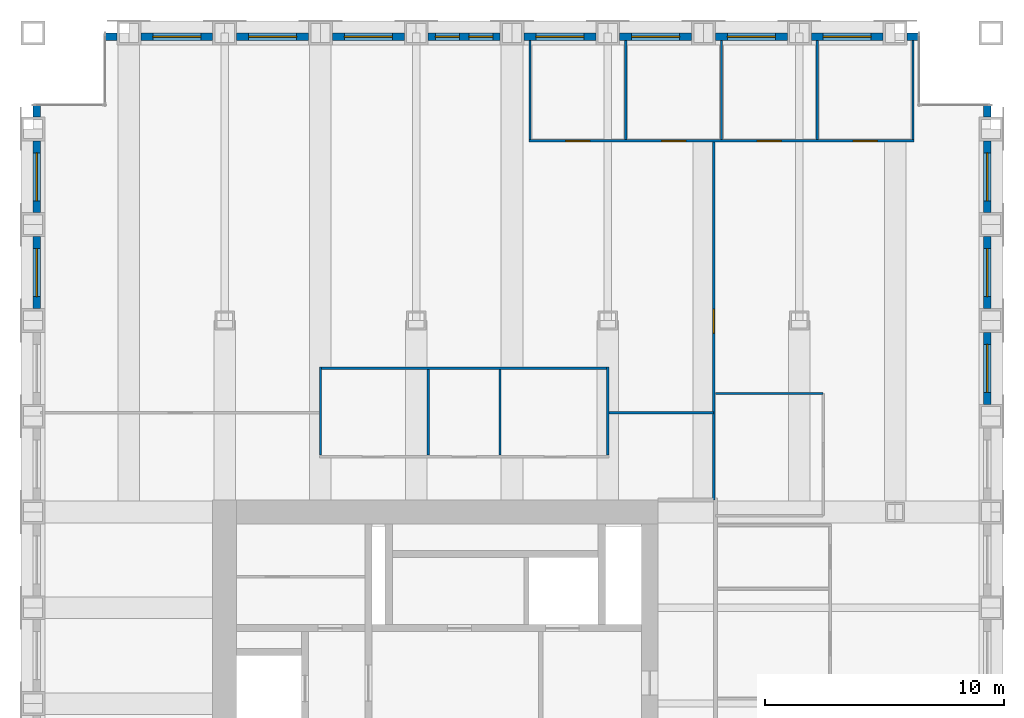
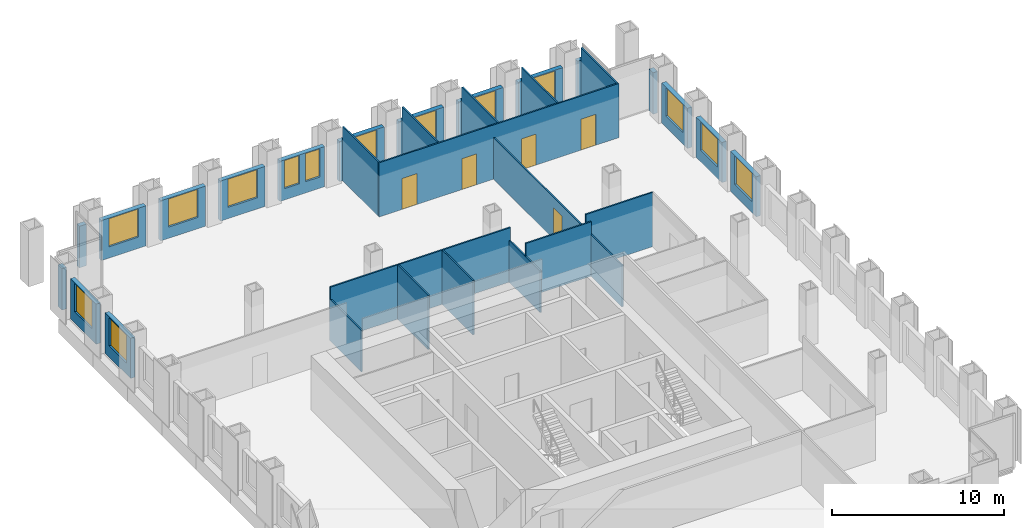
# One storey, part 11 of 13: 31 walls, 14 windows, 5 doors, 19 openings.
"""IFC4 building model written with IfcOpenShell, lengths in metres."""

from ifc_helpers import new_model, si_unit, direction, frame, frame_2d, origin, place, context, subcontext, project, spatial, rectangle, extrude, material, layer, layer_set, type_object, element, fill, save


model = new_model("IFC4")

# Units and contexts
model_context = context("Model", 3, precision=1e-05, world=origin(), true_north=direction((0.0, 1.0)))
body_context = subcontext(model_context, "Body", "Model", "MODEL_VIEW")
ifc_project = project(units=[si_unit("LENGTHUNIT", "METRE"), si_unit("AREAUNIT", "SQUARE_METRE"), si_unit("VOLUMEUNIT", "CUBIC_METRE"), si_unit("PLANEANGLEUNIT", "RADIAN"), si_unit("MASSUNIT", "GRAM", prefix="KILO")], contexts=[model_context])

# Site, building, storey
site_placement = place(None, origin())
site = spatial("IfcSite", under=ifc_project, at=site_placement, CompositionType="ELEMENT")
building_placement = place(site_placement, origin())
building = spatial("IfcBuilding", under=site, at=building_placement, Name="Rimbunsela Tower", CompositionType="ELEMENT")
storey_placement = place(building_placement, frame((0.0, 0.0, 222.199951171875)))
storey = spatial("IfcBuildingStorey", under=building, at=storey_placement, Name="L53", CompositionType="ELEMENT", Elevation=222.199951171875)

# Wall, openings, doors
ifc_material_1 = material(Name="Gypsum board on steel studs", Category="steel")
ifc_layer_1 = layer(ifc_material_1, 0.10009765625)
ifc_layer_set_1 = layer_set([ifc_layer_1], Name="Office partition 100")
wall_type_1 = type_object("IfcWallType", Name="Office partition 100", PredefinedType="PARTITIONING", material=ifc_layer_set_1)
wall_1_placement = place(storey_placement, frame((30.699951171875, 51.5, 0.0), z_axis=(0.0, 0.0, 1.0), x_axis=(1.0, 0.0, 0.0)))
wall_1 = element("IfcWall", 1, at=wall_1_placement, inside=storey, type_object=wall_type_1, Name="Office partition", PredefinedType="PARTITIONING", context=body_context, shape_type="SweptSolid", body=[
    extrude(rectangle(XDim=16.10009765625, YDim=0.10009765625, at=frame_2d((8.050048828125, 0.0))), origin(), (0.0, 0.0, 1.0), 3.85009765625),
])
opening_1_placement = place(wall_1_placement, frame((1.550048828125, 0.0, 0.0)))
opening_1 = element("IfcOpeningElement", 2, at=opening_1_placement, cuts=wall_1, Name="Opening D16", PredefinedType="OPENING", context=body_context, shape_type="SweptSolid", body=[
    extrude(rectangle(XDim=1.0, YDim=2.199951171875, at=frame_2d((0.5, 1.10009765625))), frame((0.0, 0.06005859375, 0.0), z_axis=(0.0, -1.0, 0.0), x_axis=(1.0, 0.0, 0.0)), (0.0, 0.0, 1.0), 0.1201171875),
])
opening_2_placement = place(wall_1_placement, frame((5.550048828125, 0.0, 0.0)))
opening_2 = element("IfcOpeningElement", 3, at=opening_2_placement, cuts=wall_1, Name="Opening D16", PredefinedType="OPENING", context=body_context, shape_type="SweptSolid", body=[
    extrude(rectangle(XDim=1.0, YDim=2.199951171875, at=frame_2d((0.5, 1.10009765625))), frame((0.0, 0.06005859375, 0.0), z_axis=(0.0, -1.0, 0.0), x_axis=(1.0, 0.0, 0.0)), (0.0, 0.0, 1.0), 0.1201171875),
])
opening_3_placement = place(wall_1_placement, frame((9.550048828125, 0.0, 0.0)))
opening_3 = element("IfcOpeningElement", 4, at=opening_3_placement, cuts=wall_1, Name="Opening D16", PredefinedType="OPENING", context=body_context, shape_type="SweptSolid", body=[
    extrude(rectangle(XDim=1.0, YDim=2.199951171875, at=frame_2d((0.5, 1.10009765625))), frame((0.0, 0.06005859375, 0.0), z_axis=(0.0, -1.0, 0.0), x_axis=(1.0, 0.0, 0.0)), (0.0, 0.0, 1.0), 0.1201171875),
])
opening_4_placement = place(wall_1_placement, frame((13.550048828125, 0.0, 0.0)))
opening_4 = element("IfcOpeningElement", 5, at=opening_4_placement, cuts=wall_1, Name="Opening D16", PredefinedType="OPENING", context=body_context, shape_type="SweptSolid", body=[
    extrude(rectangle(XDim=1.0, YDim=2.199951171875, at=frame_2d((0.5, 1.10009765625))), frame((0.0, 0.06005859375, 0.0), z_axis=(0.0, -1.0, 0.0), x_axis=(1.0, 0.0, 0.0)), (0.0, 0.0, 1.0), 0.1201171875),
])
ifc_material_2 = material(Name="Timber door", Category="wood")
door_type_1 = type_object("IfcDoorType", Name="Office door 1000", OperationType="SINGLE_SWING_LEFT", PredefinedType="DOOR", material=ifc_material_2)
door_1_placement = place(opening_1_placement, origin())
door_1 = element("IfcDoor", 6, at=door_1_placement, inside=storey, type_object=door_type_1, Name="Office door", OperationType="SINGLE_SWING_LEFT", OverallHeight=2.199951171875, OverallWidth=1.0, PredefinedType="DOOR", context=body_context, shape_type="SweptSolid", body=[
    extrude(rectangle(XDim=1.0, YDim=2.199951171875, at=frame_2d((0.5, 1.10009765625))), frame((0.0, 0.02490234375, 0.0), z_axis=(0.0, -1.0, 0.0), x_axis=(1.0, 0.0, 0.0)), (0.0, 0.0, 1.0), 0.050048828125),
])
fill(opening_1, door_1)
door_2_placement = place(opening_2_placement, origin())
door_2 = element("IfcDoor", 7, at=door_2_placement, inside=storey, type_object=door_type_1, Name="Office door", OperationType="SINGLE_SWING_LEFT", OverallHeight=2.199951171875, OverallWidth=1.0, PredefinedType="DOOR", context=body_context, shape_type="SweptSolid", body=[
    extrude(rectangle(XDim=1.0, YDim=2.199951171875, at=frame_2d((0.5, 1.10009765625))), frame((0.0, 0.02490234375, 0.0), z_axis=(0.0, -1.0, 0.0), x_axis=(1.0, 0.0, 0.0)), (0.0, 0.0, 1.0), 0.050048828125),
])
fill(opening_2, door_2)
door_3_placement = place(opening_3_placement, origin())
door_3 = element("IfcDoor", 8, at=door_3_placement, inside=storey, type_object=door_type_1, Name="Office door", OperationType="SINGLE_SWING_LEFT", OverallHeight=2.199951171875, OverallWidth=1.0, PredefinedType="DOOR", context=body_context, shape_type="SweptSolid", body=[
    extrude(rectangle(XDim=1.0, YDim=2.199951171875, at=frame_2d((0.5, 1.10009765625))), frame((0.0, 0.02490234375, 0.0), z_axis=(0.0, -1.0, 0.0), x_axis=(1.0, 0.0, 0.0)), (0.0, 0.0, 1.0), 0.050048828125),
])
fill(opening_3, door_3)
door_4_placement = place(opening_4_placement, origin())
door_4 = element("IfcDoor", 9, at=door_4_placement, inside=storey, type_object=door_type_1, Name="Office door", OperationType="SINGLE_SWING_LEFT", OverallHeight=2.199951171875, OverallWidth=1.0, PredefinedType="DOOR", context=body_context, shape_type="SweptSolid", body=[
    extrude(rectangle(XDim=1.0, YDim=2.199951171875, at=frame_2d((0.5, 1.10009765625))), frame((0.0, 0.02490234375, 0.0), z_axis=(0.0, -1.0, 0.0), x_axis=(1.0, 0.0, 0.0)), (0.0, 0.0, 1.0), 0.050048828125),
])
fill(opening_4, door_4)

# Walls
for number, where, z_axis, x_axis, name in (
    (10, (30.75, 51.550048828125, 0.0), (0.0, 0.0, 1.0), (0.0, 1.0, 0.0), "Office partition"),
    (11, (34.75, 51.550048828125, 0.0), (0.0, 0.0, 1.0), (0.0, 1.0, 0.0), "Office partition"),
    (12, (38.75, 51.550048828125, 0.0), (0.0, 0.0, 1.0), (0.0, 1.0, 0.0), "Office partition"),
    (13, (42.75, 51.550048828125, 0.0), (0.0, 0.0, 1.0), (0.0, 1.0, 0.0), "Office partition"),
    (14, (46.75, 51.550048828125, 0.0), (0.0, 0.0, 1.0), (0.0, 1.0, 0.0), "Office partition"),
):
    element("IfcWall", number, at=place(storey_placement, frame(where, z_axis=z_axis, x_axis=x_axis)), inside=storey, type_object=wall_type_1, Name=name, PredefinedType="PARTITIONING", context=body_context, shape_type="SweptSolid", body=[
        extrude(rectangle(XDim=4.14990234375, YDim=0.10009765625, at=frame_2d((2.074951171875, 0.0))), origin(), (0.0, 0.0, 1.0), 3.85009765625),
    ])

# Wall, opening, door
wall_2_placement = place(storey_placement, frame((38.425048828125, 51.449951171875, 0.0), z_axis=(0.0, 0.0, 1.0), x_axis=(0.0, -1.0, 0.0)))
wall_2 = element("IfcWall", 15, at=wall_2_placement, inside=storey, type_object=wall_type_1, Name="Office partition", PredefinedType="PARTITIONING", context=body_context, shape_type="SweptSolid", body=[
    extrude(rectangle(XDim=14.949951171875, YDim=0.10009765625, at=frame_2d((7.47509765625, 0.0))), origin(), (0.0, 0.0, 1.0), 2.949951171875),
])
opening_5_placement = place(wall_2_placement, frame((6.97509765625, 0.0, 0.0)))
opening_5 = element("IfcOpeningElement", 16, at=opening_5_placement, cuts=wall_2, Name="Opening D17", PredefinedType="OPENING", context=body_context, shape_type="SweptSolid", body=[
    extrude(rectangle(XDim=1.0, YDim=2.199951171875, at=frame_2d((0.5, 1.10009765625))), frame((0.0, 0.06005859375, 0.0), z_axis=(0.0, -1.0, 0.0), x_axis=(1.0, 0.0, 0.0)), (0.0, 0.0, 1.0), 0.1201171875),
])
ifc_material_3 = material(Name="Glazed aluminium door", Category="aluminium")
door_type_2 = type_object("IfcDoorType", Name="Meeting room door 1000 glazed", OperationType="SINGLE_SWING_RIGHT", PredefinedType="DOOR", material=ifc_material_3)
door_5_placement = place(opening_5_placement, origin())
door_5 = element("IfcDoor", 17, at=door_5_placement, inside=storey, type_object=door_type_2, Name="Open office screen door", OperationType="SINGLE_SWING_RIGHT", OverallHeight=2.199951171875, OverallWidth=1.0, PredefinedType="DOOR", context=body_context, shape_type="SweptSolid", body=[
    extrude(rectangle(XDim=1.0, YDim=2.199951171875, at=frame_2d((0.5, 1.10009765625))), frame((0.0, 0.02490234375, 0.0), z_axis=(0.0, -1.0, 0.0), x_axis=(1.0, 0.0, 0.0)), (0.0, 0.0, 1.0), 0.050048828125),
])
fill(opening_5, door_5)

# Walls
wall_3_placement = place(storey_placement, frame((34.0, 40.14990234375, 0.0), z_axis=(0.0, 0.0, 1.0), x_axis=(1.0, 0.0, 0.0)))
element("IfcWall", 18, at=wall_3_placement, inside=storey, type_object=wall_type_1, Name="Office partition", PredefinedType="PARTITIONING", context=body_context, shape_type="SweptSolid", body=[
    extrude(rectangle(XDim=4.425048828125, YDim=0.10009765625, at=frame_2d((2.21240234375, 0.0))), origin(), (0.0, 0.0, 1.0), 3.85009765625),
])
wall_4_placement = place(storey_placement, frame((43.0, 40.949951171875, 0.0), z_axis=(0.0, 0.0, 1.0), x_axis=(-1.0, 0.0, 0.0)))
element("IfcWall", 19, at=wall_4_placement, inside=storey, type_object=wall_type_1, Name="Office partition", PredefinedType="PARTITIONING", context=body_context, shape_type="SweptSolid", body=[
    extrude(rectangle(XDim=4.5, YDim=0.10009765625, at=frame_2d((2.25, 0.0))), origin(), (0.0, 0.0, 1.0), 3.85009765625),
])

# Wall, opening, window
ifc_material_4 = material(Name="Precast concrete fc' 35 MPa", Category="concrete")
ifc_layer_2 = layer(ifc_material_4, 0.300048828125)
ifc_layer_set_2 = layer_set([ifc_layer_2], Name="Precast concrete fc' 35 MPa")
wall_type_2 = type_object("IfcWallType", Name="Precast facade panel 300", PredefinedType="ELEMENTEDWALL", material=ifc_layer_set_2)
wall_5_placement = place(storey_placement, frame((49.85009765625, 40.5, 0.0), z_axis=(0.0, 0.0, 1.0), x_axis=(0.0, 1.0, 0.0)))
wall_5 = element("IfcWall", 20, at=wall_5_placement, inside=storey, type_object=wall_type_2, Name="Facade panel E L53", PredefinedType="ELEMENTEDWALL", context=body_context, shape_type="SweptSolid", body=[
    extrude(rectangle(XDim=3.0, YDim=0.300048828125, at=frame_2d((1.5, 0.0))), origin(), (0.0, 0.0, 1.0), 2.85009765625),
])
opening_6_placement = place(wall_5_placement, frame((0.5, 0.0, 0.800048828125)))
opening_6 = element("IfcOpeningElement", 21, at=opening_6_placement, cuts=wall_5, Name="Opening W1", PredefinedType="OPENING", context=body_context, shape_type="SweptSolid", body=[
    extrude(rectangle(XDim=2.0, YDim=2.0, at=frame_2d((1.0, 1.0))), frame((0.0, 0.159912109375, 0.0), z_axis=(0.0, -1.0, 0.0), x_axis=(1.0, 0.0, 0.0)), (0.0, 0.0, 1.0), 0.320068359375),
])
ifc_material_5 = material(Name="Clear glass in aluminium frame", Category="aluminium")
window_type_1 = type_object("IfcWindowType", Name="Window W1 2000x2000", PartitioningType="DOUBLE_PANEL_VERTICAL", PredefinedType="WINDOW", material=ifc_material_5)
window_1_placement = place(opening_6_placement, origin())
window_1 = element("IfcWindow", 22, at=window_1_placement, inside=storey, type_object=window_type_1, Name="Window L53", OverallHeight=2.0, OverallWidth=2.0, PartitioningType="SINGLE_PANEL", PredefinedType="WINDOW", context=body_context, shape_type="SweptSolid", body=[
    extrude(rectangle(XDim=2.0, YDim=2.0, at=frame_2d((1.0, 1.0))), frame((0.0, 0.030029296875, 0.0), z_axis=(0.0, -1.0, 0.0), x_axis=(1.0, 0.0, 0.0)), (0.0, 0.0, 1.0), 0.06005859375),
])
fill(opening_6, window_1)

wall_6_placement = place(storey_placement, frame((49.85009765625, 44.5, 0.0), z_axis=(0.0, 0.0, 1.0), x_axis=(0.0, 1.0, 0.0)))
wall_6 = element("IfcWall", 23, at=wall_6_placement, inside=storey, type_object=wall_type_2, Name="Facade panel E L53", PredefinedType="ELEMENTEDWALL", context=body_context, shape_type="SweptSolid", body=[
    extrude(rectangle(XDim=3.0, YDim=0.300048828125, at=frame_2d((1.5, 0.0))), origin(), (0.0, 0.0, 1.0), 2.85009765625),
])
opening_7_placement = place(wall_6_placement, frame((0.5, 0.0, 0.800048828125)))
opening_7 = element("IfcOpeningElement", 24, at=opening_7_placement, cuts=wall_6, Name="Opening W1", PredefinedType="OPENING", context=body_context, shape_type="SweptSolid", body=[
    extrude(rectangle(XDim=2.0, YDim=2.0, at=frame_2d((1.0, 1.0))), frame((0.0, 0.159912109375, 0.0), z_axis=(0.0, -1.0, 0.0), x_axis=(1.0, 0.0, 0.0)), (0.0, 0.0, 1.0), 0.320068359375),
])
window_2_placement = place(opening_7_placement, origin())
window_2 = element("IfcWindow", 25, at=window_2_placement, inside=storey, type_object=window_type_1, Name="Window L53", OverallHeight=2.0, OverallWidth=2.0, PartitioningType="SINGLE_PANEL", PredefinedType="WINDOW", context=body_context, shape_type="SweptSolid", body=[
    extrude(rectangle(XDim=2.0, YDim=2.0, at=frame_2d((1.0, 1.0))), frame((0.0, 0.030029296875, 0.0), z_axis=(0.0, -1.0, 0.0), x_axis=(1.0, 0.0, 0.0)), (0.0, 0.0, 1.0), 0.06005859375),
])
fill(opening_7, window_2)

wall_7_placement = place(storey_placement, frame((49.85009765625, 48.5, 0.0), z_axis=(0.0, 0.0, 1.0), x_axis=(0.0, 1.0, 0.0)))
wall_7 = element("IfcWall", 26, at=wall_7_placement, inside=storey, type_object=wall_type_2, Name="Facade panel E L53", PredefinedType="ELEMENTEDWALL", context=body_context, shape_type="SweptSolid", body=[
    extrude(rectangle(XDim=3.0, YDim=0.300048828125, at=frame_2d((1.5, 0.0))), origin(), (0.0, 0.0, 1.0), 2.85009765625),
])
opening_8_placement = place(wall_7_placement, frame((0.5, 0.0, 0.800048828125)))
opening_8 = element("IfcOpeningElement", 27, at=opening_8_placement, cuts=wall_7, Name="Opening W1", PredefinedType="OPENING", context=body_context, shape_type="SweptSolid", body=[
    extrude(rectangle(XDim=2.0, YDim=2.0, at=frame_2d((1.0, 1.0))), frame((0.0, 0.159912109375, 0.0), z_axis=(0.0, -1.0, 0.0), x_axis=(1.0, 0.0, 0.0)), (0.0, 0.0, 1.0), 0.320068359375),
])
window_3_placement = place(opening_8_placement, origin())
window_3 = element("IfcWindow", 28, at=window_3_placement, inside=storey, type_object=window_type_1, Name="Window L53", OverallHeight=2.0, OverallWidth=2.0, PartitioningType="SINGLE_PANEL", PredefinedType="WINDOW", context=body_context, shape_type="SweptSolid", body=[
    extrude(rectangle(XDim=2.0, YDim=2.0, at=frame_2d((1.0, 1.0))), frame((0.0, 0.030029296875, 0.0), z_axis=(0.0, -1.0, 0.0), x_axis=(1.0, 0.0, 0.0)), (0.0, 0.0, 1.0), 0.06005859375),
])
fill(opening_8, window_3)

# Walls
for number, where, z_axis, x_axis, name in (
    (29, (49.85009765625, 52.5, 0.0), (0.0, 0.0, 1.0), (0.0, 1.0, 0.0), "Facade panel E L53"),
    (30, (13.5, 55.85009765625, 0.0), (0.0, 0.0, 1.0), (-1.0, 0.0, 0.0), "Facade panel N L53"),
):
    element("IfcWall", number, at=place(storey_placement, frame(where, z_axis=z_axis, x_axis=x_axis)), inside=storey, type_object=wall_type_2, Name=name, PredefinedType="ELEMENTEDWALL", context=body_context, shape_type="SweptSolid", body=[
        extrude(rectangle(XDim=0.469970703125, YDim=0.300048828125, at=frame_2d((0.23486328125, 0.0))), origin(), (0.0, 0.0, 1.0), 2.949951171875),
    ])

# Wall, opening, window
wall_8_placement = place(storey_placement, frame((17.5, 55.85009765625, 0.0), z_axis=(0.0, 0.0, 1.0), x_axis=(-1.0, 0.0, 0.0)))
wall_8 = element("IfcWall", 31, at=wall_8_placement, inside=storey, type_object=wall_type_2, Name="Facade panel N L53", PredefinedType="ELEMENTEDWALL", context=body_context, shape_type="SweptSolid", body=[
    extrude(rectangle(XDim=3.0, YDim=0.300048828125, at=frame_2d((1.5, 0.0))), origin(), (0.0, 0.0, 1.0), 2.85009765625),
])
opening_9_placement = place(wall_8_placement, frame((0.5, 0.0, 0.800048828125)))
opening_9 = element("IfcOpeningElement", 32, at=opening_9_placement, cuts=wall_8, Name="Opening W1", PredefinedType="OPENING", context=body_context, shape_type="SweptSolid", body=[
    extrude(rectangle(XDim=2.0, YDim=2.0, at=frame_2d((1.0, 1.0))), frame((0.0, 0.159912109375, 0.0), z_axis=(0.0, -1.0, 0.0), x_axis=(1.0, 0.0, 0.0)), (0.0, 0.0, 1.0), 0.320068359375),
])
window_4_placement = place(opening_9_placement, origin())
window_4 = element("IfcWindow", 33, at=window_4_placement, inside=storey, type_object=window_type_1, Name="Window L53", OverallHeight=2.0, OverallWidth=2.0, PartitioningType="SINGLE_PANEL", PredefinedType="WINDOW", context=body_context, shape_type="SweptSolid", body=[
    extrude(rectangle(XDim=2.0, YDim=2.0, at=frame_2d((1.0, 1.0))), frame((0.0, 0.030029296875, 0.0), z_axis=(0.0, -1.0, 0.0), x_axis=(1.0, 0.0, 0.0)), (0.0, 0.0, 1.0), 0.06005859375),
])
fill(opening_9, window_4)

wall_9_placement = place(storey_placement, frame((21.5, 55.85009765625, 0.0), z_axis=(0.0, 0.0, 1.0), x_axis=(-1.0, 0.0, 0.0)))
wall_9 = element("IfcWall", 34, at=wall_9_placement, inside=storey, type_object=wall_type_2, Name="Facade panel N L53", PredefinedType="ELEMENTEDWALL", context=body_context, shape_type="SweptSolid", body=[
    extrude(rectangle(XDim=3.0, YDim=0.300048828125, at=frame_2d((1.5, 0.0))), origin(), (0.0, 0.0, 1.0), 2.85009765625),
])
opening_10_placement = place(wall_9_placement, frame((0.5, 0.0, 0.800048828125)))
opening_10 = element("IfcOpeningElement", 35, at=opening_10_placement, cuts=wall_9, Name="Opening W1", PredefinedType="OPENING", context=body_context, shape_type="SweptSolid", body=[
    extrude(rectangle(XDim=2.0, YDim=2.0, at=frame_2d((1.0, 1.0))), frame((0.0, 0.159912109375, 0.0), z_axis=(0.0, -1.0, 0.0), x_axis=(1.0, 0.0, 0.0)), (0.0, 0.0, 1.0), 0.320068359375),
])
window_5_placement = place(opening_10_placement, origin())
window_5 = element("IfcWindow", 36, at=window_5_placement, inside=storey, type_object=window_type_1, Name="Window L53", OverallHeight=2.0, OverallWidth=2.0, PartitioningType="SINGLE_PANEL", PredefinedType="WINDOW", context=body_context, shape_type="SweptSolid", body=[
    extrude(rectangle(XDim=2.0, YDim=2.0, at=frame_2d((1.0, 1.0))), frame((0.0, 0.030029296875, 0.0), z_axis=(0.0, -1.0, 0.0), x_axis=(1.0, 0.0, 0.0)), (0.0, 0.0, 1.0), 0.06005859375),
])
fill(opening_10, window_5)

wall_10_placement = place(storey_placement, frame((25.5, 55.85009765625, 0.0), z_axis=(0.0, 0.0, 1.0), x_axis=(-1.0, 0.0, 0.0)))
wall_10 = element("IfcWall", 37, at=wall_10_placement, inside=storey, type_object=wall_type_2, Name="Facade panel N L53", PredefinedType="ELEMENTEDWALL", context=body_context, shape_type="SweptSolid", body=[
    extrude(rectangle(XDim=3.0, YDim=0.300048828125, at=frame_2d((1.5, 0.0))), origin(), (0.0, 0.0, 1.0), 2.85009765625),
])
opening_11_placement = place(wall_10_placement, frame((0.5, 0.0, 0.800048828125)))
opening_11 = element("IfcOpeningElement", 38, at=opening_11_placement, cuts=wall_10, Name="Opening W1", PredefinedType="OPENING", context=body_context, shape_type="SweptSolid", body=[
    extrude(rectangle(XDim=2.0, YDim=2.0, at=frame_2d((1.0, 1.0))), frame((0.0, 0.159912109375, 0.0), z_axis=(0.0, -1.0, 0.0), x_axis=(1.0, 0.0, 0.0)), (0.0, 0.0, 1.0), 0.320068359375),
])
window_6_placement = place(opening_11_placement, origin())
window_6 = element("IfcWindow", 39, at=window_6_placement, inside=storey, type_object=window_type_1, Name="Window L53", OverallHeight=2.0, OverallWidth=2.0, PartitioningType="SINGLE_PANEL", PredefinedType="WINDOW", context=body_context, shape_type="SweptSolid", body=[
    extrude(rectangle(XDim=2.0, YDim=2.0, at=frame_2d((1.0, 1.0))), frame((0.0, 0.030029296875, 0.0), z_axis=(0.0, -1.0, 0.0), x_axis=(1.0, 0.0, 0.0)), (0.0, 0.0, 1.0), 0.06005859375),
])
fill(opening_11, window_6)

# Wall, openings, windows
wall_11_placement = place(storey_placement, frame((29.5, 55.85009765625, 0.0), z_axis=(0.0, 0.0, 1.0), x_axis=(-1.0, 0.0, 0.0)))
wall_11 = element("IfcWall", 40, at=wall_11_placement, inside=storey, type_object=wall_type_2, Name="Facade panel N L53", PredefinedType="ELEMENTEDWALL", context=body_context, shape_type="SweptSolid", body=[
    extrude(rectangle(XDim=3.0, YDim=0.300048828125, at=frame_2d((1.5, 0.0))), origin(), (0.0, 0.0, 1.0), 2.85009765625),
])
opening_12_placement = place(wall_11_placement, frame((1.699951171875, 0.0, 0.800048828125)))
opening_12 = element("IfcOpeningElement", 41, at=opening_12_placement, cuts=wall_11, Name="Opening W5", PredefinedType="OPENING", context=body_context, shape_type="SweptSolid", body=[
    extrude(rectangle(XDim=1.0, YDim=2.0, at=frame_2d((0.5, 1.0))), frame((0.0, 0.159912109375, 0.0), z_axis=(0.0, -1.0, 0.0), x_axis=(1.0, 0.0, 0.0)), (0.0, 0.0, 1.0), 0.320068359375),
])
opening_13_placement = place(wall_11_placement, frame((0.300048828125, 0.0, 0.800048828125)))
opening_13 = element("IfcOpeningElement", 42, at=opening_13_placement, cuts=wall_11, Name="Opening W5", PredefinedType="OPENING", context=body_context, shape_type="SweptSolid", body=[
    extrude(rectangle(XDim=1.0, YDim=2.0, at=frame_2d((0.5, 1.0))), frame((0.0, 0.159912109375, 0.0), z_axis=(0.0, -1.0, 0.0), x_axis=(1.0, 0.0, 0.0)), (0.0, 0.0, 1.0), 0.320068359375),
])
ifc_material_6 = material(Name="Clear glass in aluminium frame", Category="aluminium")
window_type_2 = type_object("IfcWindowType", Name="Window W5 1000x2000", PartitioningType="SINGLE_PANEL", PredefinedType="WINDOW", material=ifc_material_6)
window_7_placement = place(opening_12_placement, origin())
window_7 = element("IfcWindow", 43, at=window_7_placement, inside=storey, type_object=window_type_2, Name="Window L53", OverallHeight=2.0, OverallWidth=1.0, PartitioningType="SINGLE_PANEL", PredefinedType="WINDOW", context=body_context, shape_type="SweptSolid", body=[
    extrude(rectangle(XDim=1.0, YDim=2.0, at=frame_2d((0.5, 1.0))), frame((0.0, 0.030029296875, 0.0), z_axis=(0.0, -1.0, 0.0), x_axis=(1.0, 0.0, 0.0)), (0.0, 0.0, 1.0), 0.06005859375),
])
fill(opening_12, window_7)
window_8_placement = place(opening_13_placement, origin())
window_8 = element("IfcWindow", 44, at=window_8_placement, inside=storey, type_object=window_type_2, Name="Window L53", OverallHeight=2.0, OverallWidth=1.0, PartitioningType="SINGLE_PANEL", PredefinedType="WINDOW", context=body_context, shape_type="SweptSolid", body=[
    extrude(rectangle(XDim=1.0, YDim=2.0, at=frame_2d((0.5, 1.0))), frame((0.0, 0.030029296875, 0.0), z_axis=(0.0, -1.0, 0.0), x_axis=(1.0, 0.0, 0.0)), (0.0, 0.0, 1.0), 0.06005859375),
])
fill(opening_13, window_8)

# Wall, opening, window
wall_12_placement = place(storey_placement, frame((33.5, 55.85009765625, 0.0), z_axis=(0.0, 0.0, 1.0), x_axis=(-1.0, 0.0, 0.0)))
wall_12 = element("IfcWall", 45, at=wall_12_placement, inside=storey, type_object=wall_type_2, Name="Facade panel N L53", PredefinedType="ELEMENTEDWALL", context=body_context, shape_type="SweptSolid", body=[
    extrude(rectangle(XDim=3.0, YDim=0.300048828125, at=frame_2d((1.5, 0.0))), origin(), (0.0, 0.0, 1.0), 2.85009765625),
])
opening_14_placement = place(wall_12_placement, frame((0.5, 0.0, 0.800048828125)))
opening_14 = element("IfcOpeningElement", 46, at=opening_14_placement, cuts=wall_12, Name="Opening W1", PredefinedType="OPENING", context=body_context, shape_type="SweptSolid", body=[
    extrude(rectangle(XDim=2.0, YDim=2.0, at=frame_2d((1.0, 1.0))), frame((0.0, 0.159912109375, 0.0), z_axis=(0.0, -1.0, 0.0), x_axis=(1.0, 0.0, 0.0)), (0.0, 0.0, 1.0), 0.320068359375),
])
window_9_placement = place(opening_14_placement, origin())
window_9 = element("IfcWindow", 47, at=window_9_placement, inside=storey, type_object=window_type_1, Name="Window L53", OverallHeight=2.0, OverallWidth=2.0, PartitioningType="SINGLE_PANEL", PredefinedType="WINDOW", context=body_context, shape_type="SweptSolid", body=[
    extrude(rectangle(XDim=2.0, YDim=2.0, at=frame_2d((1.0, 1.0))), frame((0.0, 0.030029296875, 0.0), z_axis=(0.0, -1.0, 0.0), x_axis=(1.0, 0.0, 0.0)), (0.0, 0.0, 1.0), 0.06005859375),
])
fill(opening_14, window_9)

wall_13_placement = place(storey_placement, frame((37.5, 55.85009765625, 0.0), z_axis=(0.0, 0.0, 1.0), x_axis=(-1.0, 0.0, 0.0)))
wall_13 = element("IfcWall", 48, at=wall_13_placement, inside=storey, type_object=wall_type_2, Name="Facade panel N L53", PredefinedType="ELEMENTEDWALL", context=body_context, shape_type="SweptSolid", body=[
    extrude(rectangle(XDim=3.0, YDim=0.300048828125, at=frame_2d((1.5, 0.0))), origin(), (0.0, 0.0, 1.0), 2.85009765625),
])
opening_15_placement = place(wall_13_placement, frame((0.5, 0.0, 0.800048828125)))
opening_15 = element("IfcOpeningElement", 49, at=opening_15_placement, cuts=wall_13, Name="Opening W1", PredefinedType="OPENING", context=body_context, shape_type="SweptSolid", body=[
    extrude(rectangle(XDim=2.0, YDim=2.0, at=frame_2d((1.0, 1.0))), frame((0.0, 0.159912109375, 0.0), z_axis=(0.0, -1.0, 0.0), x_axis=(1.0, 0.0, 0.0)), (0.0, 0.0, 1.0), 0.320068359375),
])
window_10_placement = place(opening_15_placement, origin())
window_10 = element("IfcWindow", 50, at=window_10_placement, inside=storey, type_object=window_type_1, Name="Window L53", OverallHeight=2.0, OverallWidth=2.0, PartitioningType="SINGLE_PANEL", PredefinedType="WINDOW", context=body_context, shape_type="SweptSolid", body=[
    extrude(rectangle(XDim=2.0, YDim=2.0, at=frame_2d((1.0, 1.0))), frame((0.0, 0.030029296875, 0.0), z_axis=(0.0, -1.0, 0.0), x_axis=(1.0, 0.0, 0.0)), (0.0, 0.0, 1.0), 0.06005859375),
])
fill(opening_15, window_10)

wall_14_placement = place(storey_placement, frame((41.5, 55.85009765625, 0.0), z_axis=(0.0, 0.0, 1.0), x_axis=(-1.0, 0.0, 0.0)))
wall_14 = element("IfcWall", 51, at=wall_14_placement, inside=storey, type_object=wall_type_2, Name="Facade panel N L53", PredefinedType="ELEMENTEDWALL", context=body_context, shape_type="SweptSolid", body=[
    extrude(rectangle(XDim=3.0, YDim=0.300048828125, at=frame_2d((1.5, 0.0))), origin(), (0.0, 0.0, 1.0), 2.85009765625),
])
opening_16_placement = place(wall_14_placement, frame((0.5, 0.0, 0.800048828125)))
opening_16 = element("IfcOpeningElement", 52, at=opening_16_placement, cuts=wall_14, Name="Opening W1", PredefinedType="OPENING", context=body_context, shape_type="SweptSolid", body=[
    extrude(rectangle(XDim=2.0, YDim=2.0, at=frame_2d((1.0, 1.0))), frame((0.0, 0.159912109375, 0.0), z_axis=(0.0, -1.0, 0.0), x_axis=(1.0, 0.0, 0.0)), (0.0, 0.0, 1.0), 0.320068359375),
])
window_11_placement = place(opening_16_placement, origin())
window_11 = element("IfcWindow", 53, at=window_11_placement, inside=storey, type_object=window_type_1, Name="Window L53", OverallHeight=2.0, OverallWidth=2.0, PartitioningType="SINGLE_PANEL", PredefinedType="WINDOW", context=body_context, shape_type="SweptSolid", body=[
    extrude(rectangle(XDim=2.0, YDim=2.0, at=frame_2d((1.0, 1.0))), frame((0.0, 0.030029296875, 0.0), z_axis=(0.0, -1.0, 0.0), x_axis=(1.0, 0.0, 0.0)), (0.0, 0.0, 1.0), 0.06005859375),
])
fill(opening_16, window_11)

wall_15_placement = place(storey_placement, frame((45.5, 55.85009765625, 0.0), z_axis=(0.0, 0.0, 1.0), x_axis=(-1.0, 0.0, 0.0)))
wall_15 = element("IfcWall", 54, at=wall_15_placement, inside=storey, type_object=wall_type_2, Name="Facade panel N L53", PredefinedType="ELEMENTEDWALL", context=body_context, shape_type="SweptSolid", body=[
    extrude(rectangle(XDim=3.0, YDim=0.300048828125, at=frame_2d((1.5, 0.0))), origin(), (0.0, 0.0, 1.0), 2.85009765625),
])
opening_17_placement = place(wall_15_placement, frame((0.5, 0.0, 0.800048828125)))
opening_17 = element("IfcOpeningElement", 55, at=opening_17_placement, cuts=wall_15, Name="Opening W1", PredefinedType="OPENING", context=body_context, shape_type="SweptSolid", body=[
    extrude(rectangle(XDim=2.0, YDim=2.0, at=frame_2d((1.0, 1.0))), frame((0.0, 0.159912109375, 0.0), z_axis=(0.0, -1.0, 0.0), x_axis=(1.0, 0.0, 0.0)), (0.0, 0.0, 1.0), 0.320068359375),
])
window_12_placement = place(opening_17_placement, origin())
window_12 = element("IfcWindow", 56, at=window_12_placement, inside=storey, type_object=window_type_1, Name="Window L53", OverallHeight=2.0, OverallWidth=2.0, PartitioningType="SINGLE_PANEL", PredefinedType="WINDOW", context=body_context, shape_type="SweptSolid", body=[
    extrude(rectangle(XDim=2.0, YDim=2.0, at=frame_2d((1.0, 1.0))), frame((0.0, 0.030029296875, 0.0), z_axis=(0.0, -1.0, 0.0), x_axis=(1.0, 0.0, 0.0)), (0.0, 0.0, 1.0), 0.06005859375),
])
fill(opening_17, window_12)

# Wall
wall_16_placement = place(storey_placement, frame((46.969970703125, 55.85009765625, 0.0), z_axis=(0.0, 0.0, 1.0), x_axis=(-1.0, 0.0, 0.0)))
element("IfcWall", 57, at=wall_16_placement, inside=storey, type_object=wall_type_2, Name="Facade panel N L53", PredefinedType="ELEMENTEDWALL", context=body_context, shape_type="SweptSolid", body=[
    extrude(rectangle(XDim=0.469970703125, YDim=0.300048828125, at=frame_2d((0.23486328125, 0.0))), origin(), (0.0, 0.0, 1.0), 2.949951171875),
])

# Wall, opening, window
wall_17_placement = place(storey_placement, frame((10.14990234375, 47.5, 0.0), z_axis=(0.0, 0.0, 1.0), x_axis=(0.0, -1.0, 0.0)))
wall_17 = element("IfcWall", 58, at=wall_17_placement, inside=storey, type_object=wall_type_2, Name="Facade panel W L53", PredefinedType="ELEMENTEDWALL", context=body_context, shape_type="SweptSolid", body=[
    extrude(rectangle(XDim=3.0, YDim=0.300048828125, at=frame_2d((1.5, 0.0))), origin(), (0.0, 0.0, 1.0), 2.85009765625),
])
opening_18_placement = place(wall_17_placement, frame((0.5, 0.0, 0.800048828125)))
opening_18 = element("IfcOpeningElement", 59, at=opening_18_placement, cuts=wall_17, Name="Opening W1", PredefinedType="OPENING", context=body_context, shape_type="SweptSolid", body=[
    extrude(rectangle(XDim=2.0, YDim=2.0, at=frame_2d((1.0, 1.0))), frame((0.0, 0.159912109375, 0.0), z_axis=(0.0, -1.0, 0.0), x_axis=(1.0, 0.0, 0.0)), (0.0, 0.0, 1.0), 0.320068359375),
])
window_13_placement = place(opening_18_placement, origin())
window_13 = element("IfcWindow", 60, at=window_13_placement, inside=storey, type_object=window_type_1, Name="Window L53", OverallHeight=2.0, OverallWidth=2.0, PartitioningType="SINGLE_PANEL", PredefinedType="WINDOW", context=body_context, shape_type="SweptSolid", body=[
    extrude(rectangle(XDim=2.0, YDim=2.0, at=frame_2d((1.0, 1.0))), frame((0.0, 0.030029296875, 0.0), z_axis=(0.0, -1.0, 0.0), x_axis=(1.0, 0.0, 0.0)), (0.0, 0.0, 1.0), 0.06005859375),
])
fill(opening_18, window_13)

wall_18_placement = place(storey_placement, frame((10.14990234375, 51.5, 0.0), z_axis=(0.0, 0.0, 1.0), x_axis=(0.0, -1.0, 0.0)))
wall_18 = element("IfcWall", 61, at=wall_18_placement, inside=storey, type_object=wall_type_2, Name="Facade panel W L53", PredefinedType="ELEMENTEDWALL", context=body_context, shape_type="SweptSolid", body=[
    extrude(rectangle(XDim=3.0, YDim=0.300048828125, at=frame_2d((1.5, 0.0))), origin(), (0.0, 0.0, 1.0), 2.85009765625),
])
opening_19_placement = place(wall_18_placement, frame((0.5, 0.0, 0.800048828125)))
opening_19 = element("IfcOpeningElement", 62, at=opening_19_placement, cuts=wall_18, Name="Opening W1", PredefinedType="OPENING", context=body_context, shape_type="SweptSolid", body=[
    extrude(rectangle(XDim=2.0, YDim=2.0, at=frame_2d((1.0, 1.0))), frame((0.0, 0.159912109375, 0.0), z_axis=(0.0, -1.0, 0.0), x_axis=(1.0, 0.0, 0.0)), (0.0, 0.0, 1.0), 0.320068359375),
])
window_14_placement = place(opening_19_placement, origin())
window_14 = element("IfcWindow", 63, at=window_14_placement, inside=storey, type_object=window_type_1, Name="Window L53", OverallHeight=2.0, OverallWidth=2.0, PartitioningType="SINGLE_PANEL", PredefinedType="WINDOW", context=body_context, shape_type="SweptSolid", body=[
    extrude(rectangle(XDim=2.0, YDim=2.0, at=frame_2d((1.0, 1.0))), frame((0.0, 0.030029296875, 0.0), z_axis=(0.0, -1.0, 0.0), x_axis=(1.0, 0.0, 0.0)), (0.0, 0.0, 1.0), 0.06005859375),
])
fill(opening_19, window_14)

# Walls
wall_19_placement = place(storey_placement, frame((10.14990234375, 52.969970703125, 0.0), z_axis=(0.0, 0.0, 1.0), x_axis=(0.0, -1.0, 0.0)))
element("IfcWall", 64, at=wall_19_placement, inside=storey, type_object=wall_type_2, Name="Facade panel W L53", PredefinedType="ELEMENTEDWALL", context=body_context, shape_type="SweptSolid", body=[
    extrude(rectangle(XDim=0.469970703125, YDim=0.300048828125, at=frame_2d((0.23486328125, 0.0))), origin(), (0.0, 0.0, 1.0), 2.949951171875),
])
ifc_material_7 = material(Name="Concrete blockwork", Category="masonry")
ifc_layer_3 = layer(ifc_material_7, 0.10009765625)
ifc_layer_set_3 = layer_set([ifc_layer_3], Name="Toilet partition 100")
wall_type_3 = type_object("IfcWallType", Name="Toilet partition 100", PredefinedType="PARTITIONING", material=ifc_layer_set_3)
for number, where, z_axis, x_axis, name in (
    (65, (22.0, 38.375, 0.0), (0.0, 0.0, 1.0), (0.0, 1.0, 0.0), "Toilet block wall west"),
    (66, (34.0, 38.375, 0.0), (0.0, 0.0, 1.0), (0.0, 1.0, 0.0), "Toilet block wall east"),
):
    element("IfcWall", number, at=place(storey_placement, frame(where, z_axis=z_axis, x_axis=x_axis)), inside=storey, type_object=wall_type_3, Name=name, PredefinedType="PARTITIONING", context=body_context, shape_type="SweptSolid", body=[
        extrude(rectangle(XDim=3.675048828125, YDim=0.10009765625, at=frame_2d((1.83740234375, 0.0))), origin(), (0.0, 0.0, 1.0), 2.949951171875),
    ])
wall_20_placement = place(storey_placement, frame((21.949951171875, 42.0, 0.0), z_axis=(0.0, 0.0, 1.0), x_axis=(1.0, 0.0, 0.0)))
element("IfcWall", 67, at=wall_20_placement, inside=storey, type_object=wall_type_3, Name="Toilet block wall north", PredefinedType="PARTITIONING", context=body_context, shape_type="SweptSolid", body=[
    extrude(rectangle(XDim=12.10009765625, YDim=0.10009765625, at=frame_2d((6.050048828125, 0.0))), origin(), (0.0, 0.0, 1.0), 3.85009765625),
])
for number, where, z_axis, x_axis, name in (
    (68, (26.5, 38.375, 0.0), (0.0, 0.0, 1.0), (0.0, 1.0, 0.0), "Toilet partition"),
    (69, (29.5, 38.375, 0.0), (0.0, 0.0, 1.0), (0.0, 1.0, 0.0), "Toilet partition"),
):
    element("IfcWall", number, at=place(storey_placement, frame(where, z_axis=z_axis, x_axis=x_axis)), inside=storey, type_object=wall_type_3, Name=name, PredefinedType="PARTITIONING", context=body_context, shape_type="SweptSolid", body=[
        extrude(rectangle(XDim=3.574951171875, YDim=0.10009765625, at=frame_2d((1.78759765625, 0.0))), origin(), (0.0, 0.0, 1.0), 3.85009765625),
    ])

save(model, "model.ifc")
